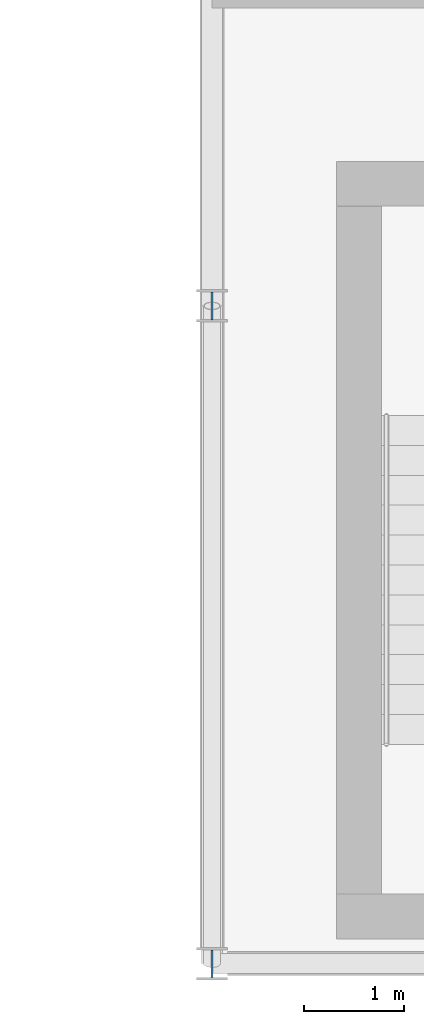
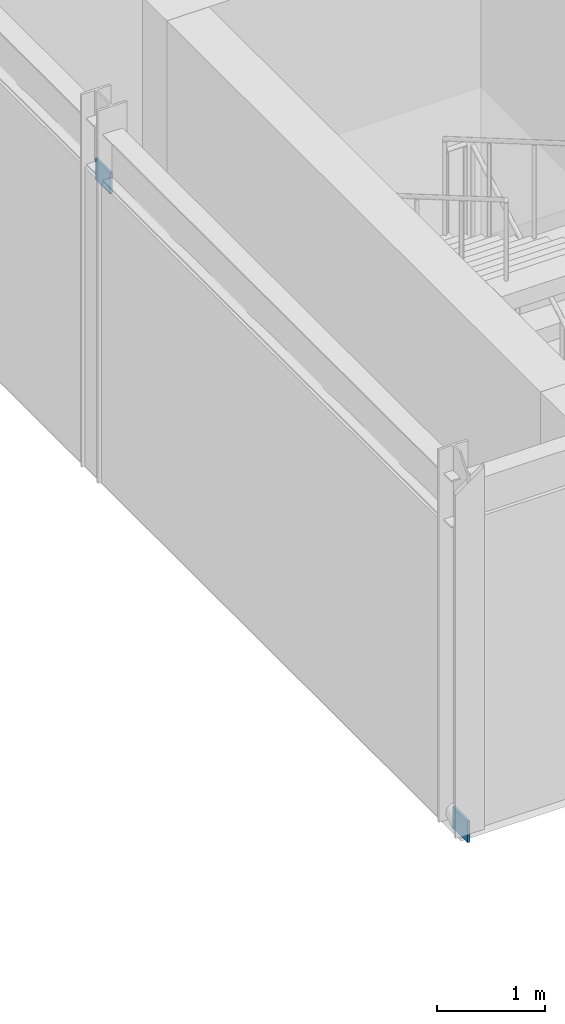
# One storey, part 109 of 134: 2 plates.
"""IFC4 building model written with IfcOpenShell, lengths in metres."""

from ifc_helpers import new_model, si_unit, direction, frame, origin, origin_2d, place, context, subcontext, project, spatial, rectangle, extrude, material, layer, layer_set, type_object, element, save


model = new_model("IFC4")

# Units and contexts
model_context = context("Model", 3, precision=1e-05, world=origin(), true_north=direction((0.0, 1.0)))
body_context = subcontext(model_context, "Body", "Model", "MODEL_VIEW")
ifc_project = project(units=[si_unit("LENGTHUNIT", "METRE"), si_unit("AREAUNIT", "SQUARE_METRE"), si_unit("VOLUMEUNIT", "CUBIC_METRE"), si_unit("PLANEANGLEUNIT", "RADIAN"), si_unit("MASSUNIT", "GRAM", prefix="KILO")], contexts=[model_context])

# Site, building, storey
site_placement = place(None, origin())
site = spatial("IfcSite", under=ifc_project, at=site_placement, CompositionType="ELEMENT")
building_placement = place(site_placement, origin())
building = spatial("IfcBuilding", under=site, at=building_placement, Name="Karori Crest Natural Sciences Institute", CompositionType="ELEMENT")
storey_placement = place(building_placement, frame((0.0, 0.0, 21.699951171875)))
storey = spatial("IfcBuildingStorey", under=building, at=storey_placement, Name="L05", CompositionType="ELEMENT", Elevation=21.699951171875)

# Plates
ifc_material = material(Name="Structural steel AS/NZS 3679.1 Grade 350", Category="steel")
ifc_layer = layer(ifc_material, 0.02490234375, Name="Structural steel AS/NZS 3679.1 Grade 350")
ifc_layer_set = layer_set([ifc_layer], Name="Structural steel AS/NZS 3679.1 Grade 350")
plate_type = type_object("IfcPlateType", Name="PLT-06-EL", PredefinedType="SHEET", material=ifc_layer_set)
for number, where, z_axis, x_axis, name in (
    (1, (103.60009765625, 0.800048828125, -0.10986328125), (0.0, 0.0, 1.0), (0.0, 1.0, 0.0), "Brace gusset plate EP-0408"),
    (2, (103.60009765625, 7.39990234375, 3.1982421875), (0.0, 0.0, 1.0), (0.0, 1.0, 0.0), "Brace gusset plate EP-0409"),
):
    element("IfcPlate", number, at=place(storey_placement, frame(where, z_axis=z_axis, x_axis=x_axis)), inside=storey, type_object=plate_type, Name=name, PredefinedType="SHEET", context=body_context, shape_type="SweptSolid", body=[
        extrude(rectangle(XDim=0.280029296875, YDim=0.02490234375, at=origin_2d()), origin(), (0.0, 0.0, 1.0), 0.239990234375),
    ])

save(model, "model.ifc")
